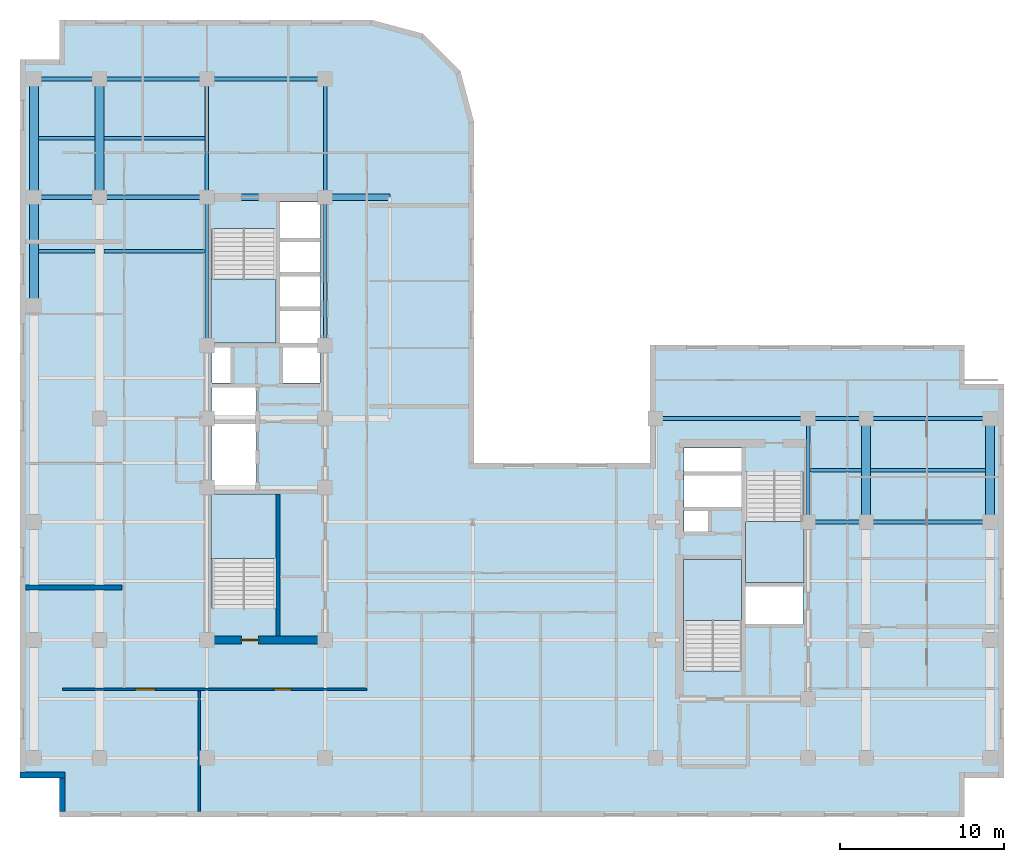
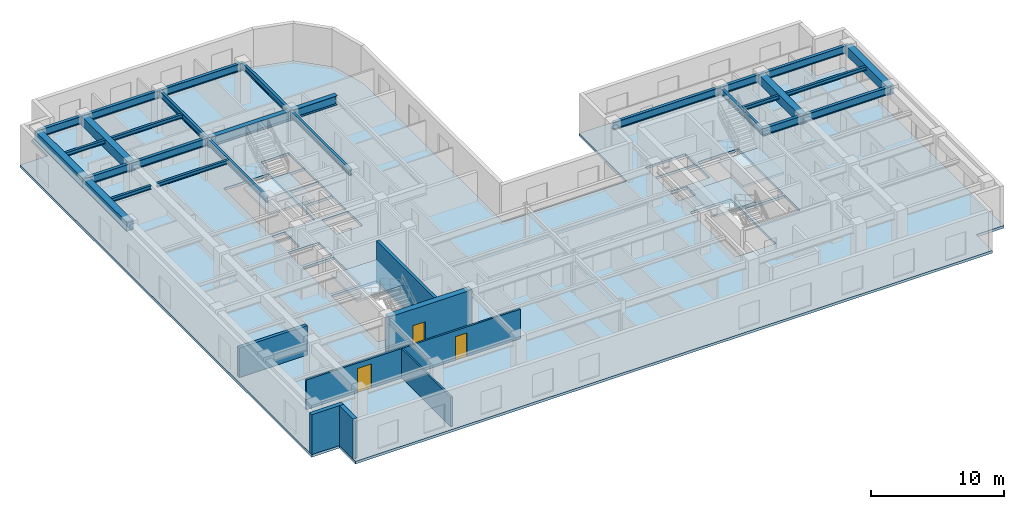
# One storey, part 3 of 11: 27 beams, 7 walls, 5 slabs, 3 doors, 3 openings, 4 elements without a shape of their own.
"""IFC4 building model written with IfcOpenShell, lengths in metres."""

from ifc_helpers import new_model, entity, si_unit, converted_unit, direction, frame, origin_with_axes, origin_2d_with_axis, place, context, subcontext, project, spatial, polyline, rectangle, i_section, outline, extrude, material, layer, layer_set, material_profile, profile_set, type_object, element, fill, aggregate, save


model = new_model("IFC4")

# Units and contexts
model_context = context("Model", 3, precision=1e-05, world=origin_with_axes(), true_north=direction((0.0, 1.0)))
body_context = subcontext(model_context, "Body", "Model", "MODEL_VIEW")
ifc_project = project(units=[si_unit("LENGTHUNIT", "METRE"), si_unit("AREAUNIT", "SQUARE_METRE"), si_unit("VOLUMEUNIT", "CUBIC_METRE"), converted_unit("PLANEANGLEUNIT", "DEGREE", entity("IfcPlaneAngleMeasure", 0.017453292519943295), si_unit("PLANEANGLEUNIT", "RADIAN"), dimensions=[0, 0, 0, 0, 0, 0, 0]), si_unit("MASSUNIT", "GRAM", prefix="KILO"), si_unit("THERMODYNAMICTEMPERATUREUNIT", "KELVIN")], contexts=[model_context])

# Site, building, storey
site_placement = place(None, origin_with_axes())
site = spatial("IfcSite", under=ifc_project, at=site_placement, CompositionType="ELEMENT")
building_placement = place(site_placement, origin_with_axes())
building = spatial("IfcBuilding", under=site, at=building_placement, Name="Varnlund Millrace Tower", CompositionType="ELEMENT")
storey_placement = place(building_placement, frame((0.0, 0.0, 192.6), z_axis=(0.0, 0.0, 1.0), x_axis=(1.0, 0.0, 0.0)))
storey = spatial("IfcBuildingStorey", under=building, at=storey_placement, Name="L47", CompositionType="ELEMENT", Elevation=192.6)

# Beams
ifc_material_1 = material(Name="Steel ASTM A992 Grade 50", Category="steel")
ifc_material_profile_1 = material_profile(ifc_material_1, i_section(OverallWidth=0.214, OverallDepth=0.549, WebThickness=0.0147, FlangeThickness=0.0236, FilletRadius=0.015, at=origin_2d_with_axis()), Name="Steel ASTM A992 Grade 50")
ifc_profile_set_1 = profile_set([ifc_material_profile_1], Name="Steel ASTM A992 Grade 50")
beam_type_1 = type_object("IfcBeamType", Name="Type-Beam-W21X93", PredefinedType="BEAM", material=ifc_profile_set_1)
beam_1_placement = place(storey_placement, frame((11.4, 28.75, 3.3855), z_axis=(0.0, 1.0, 0.0), x_axis=(-1.0, 0.0, 0.0)))
element("IfcBeam", 1, at=beam_1_placement, inside=storey, type_object=beam_type_1, Name="Type-Beam-W21X93", PredefinedType="BEAM", context=body_context, shape_type="SweptSolid", body=[
    extrude(i_section(OverallWidth=0.214, OverallDepth=0.549, WebThickness=0.0147, FlangeThickness=0.0236, FilletRadius=0.015, at=origin_2d_with_axis()), origin_with_axes(), (0.0, 0.0, 1.0), 9.05),
])
beam_2_placement = place(storey_placement, frame((11.4, 37.8, 3.3855), z_axis=(0.0, 1.0, 0.0), x_axis=(-1.0, 0.0, 0.0)))
element("IfcBeam", 2, at=beam_2_placement, inside=storey, type_object=beam_type_1, Name="Type-Beam-W21X93", PredefinedType="BEAM", context=body_context, shape_type="SweptSolid", body=[
    extrude(i_section(OverallWidth=0.214, OverallDepth=0.549, WebThickness=0.0147, FlangeThickness=0.0236, FilletRadius=0.015, at=origin_2d_with_axis()), origin_with_axes(), (0.0, 0.0, 1.0), 7.2),
])
beam_3_placement = place(storey_placement, frame((18.6, 28.75, 3.3855), z_axis=(0.0, 1.0, 0.0), x_axis=(-1.0, 0.0, 0.0)))
element("IfcBeam", 3, at=beam_3_placement, inside=storey, type_object=beam_type_1, Name="Type-Beam-W21X93", PredefinedType="BEAM", context=body_context, shape_type="SweptSolid", body=[
    extrude(i_section(OverallWidth=0.214, OverallDepth=0.549, WebThickness=0.0147, FlangeThickness=0.0236, FilletRadius=0.015, at=origin_2d_with_axis()), origin_with_axes(), (0.0, 0.0, 1.0), 9.05),
])
beam_4_placement = place(storey_placement, frame((18.6, 37.8, 3.3855), z_axis=(0.0, 1.0, 0.0), x_axis=(-1.0, 0.0, 0.0)))
element("IfcBeam", 4, at=beam_4_placement, inside=storey, type_object=beam_type_1, Name="Type-Beam-W21X93", PredefinedType="BEAM", context=body_context, shape_type="SweptSolid", body=[
    extrude(i_section(OverallWidth=0.214, OverallDepth=0.549, WebThickness=0.0147, FlangeThickness=0.0236, FilletRadius=0.015, at=origin_2d_with_axis()), origin_with_axes(), (0.0, 0.0, 1.0), 7.2),
])
beam_5_placement = place(storey_placement, frame((48.05, 18.0, 3.3855), z_axis=(0.0, 1.0, 0.0), x_axis=(-1.0, 0.0, 0.0)))
element("IfcBeam", 5, at=beam_5_placement, inside=storey, type_object=beam_type_1, Name="Type-Beam-W21X93", PredefinedType="BEAM", context=body_context, shape_type="SweptSolid", body=[
    extrude(i_section(OverallWidth=0.214, OverallDepth=0.549, WebThickness=0.0147, FlangeThickness=0.0236, FilletRadius=0.015, at=origin_2d_with_axis()), origin_with_axes(), (0.0, 0.0, 1.0), 6.3),
])
ifc_material_profile_2 = material_profile(ifc_material_1, i_section(OverallWidth=0.256, OverallDepth=0.693, WebThickness=0.0145, FlangeThickness=0.0236, FilletRadius=0.018, at=origin_2d_with_axis()), Name="Steel ASTM A992 Grade 50")
ifc_profile_set_2 = profile_set([ifc_material_profile_2], Name="Steel ASTM A992 Grade 50")
beam_type_2 = type_object("IfcBeamType", Name="Type-Girder-W27X114", PredefinedType="USERDEFINED", material=ifc_profile_set_2)
beam_6_placement = place(storey_placement, frame((48.05, 18.0, 3.3135), z_axis=(1.0, 0.0, 0.0), x_axis=(0.0, 1.0, 0.0)))
element("IfcBeam", 6, at=beam_6_placement, inside=storey, type_object=beam_type_2, Name="Type-Girder-W27X114", ObjectType="GIRDER", PredefinedType="USERDEFINED", context=body_context, shape_type="SweptSolid", body=[
    extrude(i_section(OverallWidth=0.256, OverallDepth=0.693, WebThickness=0.0145, FlangeThickness=0.0236, FilletRadius=0.018, at=origin_2d_with_axis()), origin_with_axes(), (0.0, 0.0, 1.0), 3.55),
])
beam_7_placement = place(storey_placement, frame((51.6, 18.0, 3.3135), z_axis=(1.0, 0.0, 0.0), x_axis=(0.0, 1.0, 0.0)))
element("IfcBeam", 7, at=beam_7_placement, inside=storey, type_object=beam_type_2, Name="Type-Girder-W27X114", ObjectType="GIRDER", PredefinedType="USERDEFINED", context=body_context, shape_type="SweptSolid", body=[
    extrude(i_section(OverallWidth=0.256, OverallDepth=0.693, WebThickness=0.0145, FlangeThickness=0.0236, FilletRadius=0.018, at=origin_2d_with_axis()), origin_with_axes(), (0.0, 0.0, 1.0), 7.55),
])
beam_8_placement = place(storey_placement, frame((38.75, 24.3, 3.3135), z_axis=(1.0, 0.0, 0.0), x_axis=(0.0, 1.0, 0.0)))
element("IfcBeam", 8, at=beam_8_placement, inside=storey, type_object=beam_type_2, Name="Type-Girder-W27X114", ObjectType="GIRDER", PredefinedType="USERDEFINED", context=body_context, shape_type="SweptSolid", body=[
    extrude(i_section(OverallWidth=0.256, OverallDepth=0.693, WebThickness=0.0145, FlangeThickness=0.0236, FilletRadius=0.018, at=origin_2d_with_axis()), origin_with_axes(), (0.0, 0.0, 1.0), 9.3),
])
beam_9_placement = place(storey_placement, frame((48.05, 24.3, 3.3135), z_axis=(1.0, 0.0, 0.0), x_axis=(0.0, 1.0, 0.0)))
element("IfcBeam", 9, at=beam_9_placement, inside=storey, type_object=beam_type_2, Name="Type-Girder-W27X114", ObjectType="GIRDER", PredefinedType="USERDEFINED", context=body_context, shape_type="SweptSolid", body=[
    extrude(i_section(OverallWidth=0.256, OverallDepth=0.693, WebThickness=0.0145, FlangeThickness=0.0236, FilletRadius=0.018, at=origin_2d_with_axis()), origin_with_axes(), (0.0, 0.0, 1.0), 3.55),
])
beam_10_placement = place(storey_placement, frame((51.6, 24.3, 3.3135), z_axis=(1.0, 0.0, 0.0), x_axis=(0.0, 1.0, 0.0)))
element("IfcBeam", 10, at=beam_10_placement, inside=storey, type_object=beam_type_2, Name="Type-Girder-W27X114", ObjectType="GIRDER", PredefinedType="USERDEFINED", context=body_context, shape_type="SweptSolid", body=[
    extrude(i_section(OverallWidth=0.256, OverallDepth=0.693, WebThickness=0.0145, FlangeThickness=0.0236, FilletRadius=0.018, at=origin_2d_with_axis()), origin_with_axes(), (0.0, 0.0, 1.0), 7.55),
])
beam_11_placement = place(storey_placement, frame((0.85, 37.8, 3.3135), z_axis=(1.0, 0.0, 0.0), x_axis=(0.0, 1.0, 0.0)))
element("IfcBeam", 11, at=beam_11_placement, inside=storey, type_object=beam_type_2, Name="Type-Girder-W27X114", ObjectType="GIRDER", PredefinedType="USERDEFINED", context=body_context, shape_type="SweptSolid", body=[
    extrude(i_section(OverallWidth=0.256, OverallDepth=0.693, WebThickness=0.0145, FlangeThickness=0.0236, FilletRadius=0.018, at=origin_2d_with_axis()), origin_with_axes(), (0.0, 0.0, 1.0), 4.0),
])
beam_12_placement = place(storey_placement, frame((4.85, 37.8, 3.3135), z_axis=(1.0, 0.0, 0.0), x_axis=(0.0, 1.0, 0.0)))
element("IfcBeam", 12, at=beam_12_placement, inside=storey, type_object=beam_type_2, Name="Type-Girder-W27X114", ObjectType="GIRDER", PredefinedType="USERDEFINED", context=body_context, shape_type="SweptSolid", body=[
    extrude(i_section(OverallWidth=0.256, OverallDepth=0.693, WebThickness=0.0145, FlangeThickness=0.0236, FilletRadius=0.018, at=origin_2d_with_axis()), origin_with_axes(), (0.0, 0.0, 1.0), 6.55),
])
beam_13_placement = place(storey_placement, frame((0.85, 45.0, 3.3135), z_axis=(1.0, 0.0, 0.0), x_axis=(0.0, 1.0, 0.0)))
element("IfcBeam", 13, at=beam_13_placement, inside=storey, type_object=beam_type_2, Name="Type-Girder-W27X114", ObjectType="GIRDER", PredefinedType="USERDEFINED", context=body_context, shape_type="SweptSolid", body=[
    extrude(i_section(OverallWidth=0.256, OverallDepth=0.693, WebThickness=0.0145, FlangeThickness=0.0236, FilletRadius=0.018, at=origin_2d_with_axis()), origin_with_axes(), (0.0, 0.0, 1.0), 4.0),
])
beam_14_placement = place(storey_placement, frame((4.85, 45.0, 3.3135), z_axis=(1.0, 0.0, 0.0), x_axis=(0.0, 1.0, 0.0)))
element("IfcBeam", 14, at=beam_14_placement, inside=storey, type_object=beam_type_2, Name="Type-Girder-W27X114", ObjectType="GIRDER", PredefinedType="USERDEFINED", context=body_context, shape_type="SweptSolid", body=[
    extrude(i_section(OverallWidth=0.256, OverallDepth=0.693, WebThickness=0.0145, FlangeThickness=0.0236, FilletRadius=0.018, at=origin_2d_with_axis()), origin_with_axes(), (0.0, 0.0, 1.0), 6.55),
])
beam_15_placement = place(storey_placement, frame((11.4, 45.0, 3.3135), z_axis=(1.0, 0.0, 0.0), x_axis=(0.0, 1.0, 0.0)))
element("IfcBeam", 15, at=beam_15_placement, inside=storey, type_object=beam_type_2, Name="Type-Girder-W27X114", ObjectType="GIRDER", PredefinedType="USERDEFINED", context=body_context, shape_type="SweptSolid", body=[
    extrude(i_section(OverallWidth=0.256, OverallDepth=0.693, WebThickness=0.0145, FlangeThickness=0.0236, FilletRadius=0.018, at=origin_2d_with_axis()), origin_with_axes(), (0.0, 0.0, 1.0), 7.2),
])
ifc_material_profile_3 = material_profile(ifc_material_1, i_section(OverallWidth=0.399, OverallDepth=0.855, WebThickness=0.0182, FlangeThickness=0.0292, FilletRadius=0.022, at=origin_2d_with_axis()), Name="Steel ASTM A992 Grade 50")
ifc_profile_set_3 = profile_set([ifc_material_profile_3], Name="Steel ASTM A992 Grade 50")
beam_type_3 = type_object("IfcBeamType", Name="Type-Girder-W33X201", PredefinedType="USERDEFINED", material=ifc_profile_set_3)
beam_16_placement = place(storey_placement, frame((11.4, 37.8, 3.2325), z_axis=(1.0, 0.0, 0.0), x_axis=(0.0, 1.0, 0.0)))
element("IfcBeam", 16, at=beam_16_placement, inside=storey, type_object=beam_type_3, Name="Type-Girder-W33X201", ObjectType="GIRDER", PredefinedType="USERDEFINED", context=body_context, shape_type="SweptSolid", body=[
    extrude(i_section(OverallWidth=0.399, OverallDepth=0.855, WebThickness=0.0182, FlangeThickness=0.0292, FilletRadius=0.022, at=origin_2d_with_axis()), origin_with_axes(), (0.0, 0.0, 1.0), 11.15),
])
ifc_material_profile_4 = material_profile(ifc_material_1, i_section(OverallWidth=0.204, OverallDepth=0.35, WebThickness=0.0086, FlangeThickness=0.0151, FilletRadius=0.013, at=origin_2d_with_axis()), Name="Steel ASTM A992 Grade 50")
ifc_profile_set_4 = profile_set([ifc_material_profile_4], Name="Steel ASTM A992 Grade 50")
beam_type_4 = type_object("IfcBeamType", Name="Type-Joist-W14X48", PredefinedType="JOIST", material=ifc_profile_set_4)
for number, where, z_axis, x_axis, name in (
    (17, (1.125, 34.5, 3.485), (1.0, 0.0, 0.0), (0.0, 1.0, 0.0), "Type-Joist-W14X48"),
    (18, (1.125, 41.4, 3.485), (1.0, 0.0, 0.0), (0.0, 1.0, 0.0), "Type-Joist-W14X48"),
):
    element("IfcBeam", number, at=place(storey_placement, frame(where, z_axis=z_axis, x_axis=x_axis)), inside=storey, type_object=beam_type_4, Name=name, PredefinedType="JOIST", context=body_context, shape_type="SweptSolid", body=[
        extrude(i_section(OverallWidth=0.204, OverallDepth=0.35, WebThickness=0.0086, FlangeThickness=0.0151, FilletRadius=0.013, at=origin_2d_with_axis()), origin_with_axes(), (0.0, 0.0, 1.0), 3.45),
    ])
for number, where, z_axis, x_axis, name in (
    (19, (5.125, 34.5, 3.485), (1.0, 0.0, 0.0), (0.0, 1.0, 0.0), "Type-Joist-W14X48"),
    (20, (5.125, 41.4, 3.485), (1.0, 0.0, 0.0), (0.0, 1.0, 0.0), "Type-Joist-W14X48"),
):
    element("IfcBeam", number, at=place(storey_placement, frame(where, z_axis=z_axis, x_axis=x_axis)), inside=storey, type_object=beam_type_4, Name=name, PredefinedType="JOIST", context=body_context, shape_type="SweptSolid", body=[
        extrude(i_section(OverallWidth=0.204, OverallDepth=0.35, WebThickness=0.0086, FlangeThickness=0.0151, FilletRadius=0.013, at=origin_2d_with_axis()), origin_with_axes(), (0.0, 0.0, 1.0), 6.168),
    ])
beam_17_placement = place(storey_placement, frame((48.157, 21.15, 3.485), z_axis=(1.0, 0.0, 0.0), x_axis=(0.0, 1.0, 0.0)))
element("IfcBeam", 21, at=beam_17_placement, inside=storey, type_object=beam_type_4, Name="Type-Joist-W14X48", PredefinedType="JOIST", context=body_context, shape_type="SweptSolid", body=[
    extrude(i_section(OverallWidth=0.204, OverallDepth=0.35, WebThickness=0.0086, FlangeThickness=0.0151, FilletRadius=0.013, at=origin_2d_with_axis()), origin_with_axes(), (0.0, 0.0, 1.0), 3.168),
])
beam_18_placement = place(storey_placement, frame((51.875, 21.15, 3.485), z_axis=(1.0, 0.0, 0.0), x_axis=(0.0, 1.0, 0.0)))
element("IfcBeam", 22, at=beam_18_placement, inside=storey, type_object=beam_type_4, Name="Type-Joist-W14X48", PredefinedType="JOIST", context=body_context, shape_type="SweptSolid", body=[
    extrude(i_section(OverallWidth=0.204, OverallDepth=0.35, WebThickness=0.0086, FlangeThickness=0.0151, FilletRadius=0.013, at=origin_2d_with_axis()), origin_with_axes(), (0.0, 0.0, 1.0), 7.0),
])
ifc_material_2 = material(Name="Concrete C60/75", Category="concrete")
ifc_material_profile_5 = material_profile(ifc_material_2, rectangle(XDim=0.55, YDim=0.85, at=origin_2d_with_axis()), Name="Concrete C60/75")
ifc_profile_set_5 = profile_set([ifc_material_profile_5], Name="Concrete C60/75")
beam_type_5 = type_object("IfcBeamType", Name="Type-Spandrel-RC550X850", PredefinedType="SPANDREL", material=ifc_profile_set_5)
beam_19_placement = place(storey_placement, frame((0.85, 31.2, 3.235), z_axis=(0.0, 1.0, 0.0), x_axis=(-1.0, 0.0, 0.0)))
element("IfcBeam", 23, at=beam_19_placement, inside=storey, type_object=beam_type_5, Name="Type-Spandrel-RC550X850", PredefinedType="SPANDREL", context=body_context, shape_type="SweptSolid", body=[
    extrude(rectangle(XDim=0.55, YDim=0.85, at=origin_2d_with_axis()), origin_with_axes(), (0.0, 0.0, 1.0), 6.6),
])
for number, where, z_axis, x_axis, name in (
    (24, (0.85, 37.8, 3.235), (0.0, 1.0, 0.0), (-1.0, 0.0, 0.0), "Type-Spandrel-RC550X850"),
    (25, (4.85, 37.8, 3.235), (0.0, 1.0, 0.0), (-1.0, 0.0, 0.0), "Type-Spandrel-RC550X850"),
):
    element("IfcBeam", number, at=place(storey_placement, frame(where, z_axis=z_axis, x_axis=x_axis)), inside=storey, type_object=beam_type_5, Name=name, PredefinedType="SPANDREL", context=body_context, shape_type="SweptSolid", body=[
        extrude(rectangle(XDim=0.55, YDim=0.85, at=origin_2d_with_axis()), origin_with_axes(), (0.0, 0.0, 1.0), 7.2),
    ])
for number, where, z_axis, x_axis, name in (
    (26, (51.6, 18.0, 3.235), (0.0, 1.0, 0.0), (-1.0, 0.0, 0.0), "Type-Spandrel-RC550X850"),
    (27, (59.15, 18.0, 3.235), (0.0, 1.0, 0.0), (-1.0, 0.0, 0.0), "Type-Spandrel-RC550X850"),
):
    element("IfcBeam", number, at=place(storey_placement, frame(where, z_axis=z_axis, x_axis=x_axis)), inside=storey, type_object=beam_type_5, Name=name, PredefinedType="SPANDREL", context=body_context, shape_type="SweptSolid", body=[
        extrude(rectangle(XDim=0.55, YDim=0.85, at=origin_2d_with_axis()), origin_with_axes(), (0.0, 0.0, 1.0), 6.3),
    ])

# Slab
ifc_layer_1 = layer(ifc_material_2, 0.24, Name="Concrete C60/75")
ifc_layer_set_1 = layer_set([ifc_layer_1], Name="Concrete C60/75")
slab_type_1 = type_object("IfcSlabType", Name="Type-Deck-Plate-Typical-240", PredefinedType="FLOOR", material=ifc_layer_set_1)
slab_1_placement = place(storey_placement, frame((0.0, 0.0, -0.24), z_axis=(0.0, 0.0, 1.0), x_axis=(1.0, 0.0, 0.0)))
element("IfcSlab", 28, at=slab_1_placement, inside=storey, type_object=slab_type_1, Name="Type-Deck-Plate-Typical-240", PredefinedType="FLOOR", context=body_context, shape_type="SweptSolid", body=[
    extrude(outline(polyline([(27.681, 21.6), (27.681, 42.4), (26.85, 45.5), (24.581, 47.769), (21.481, 48.6), (2.4, 48.6), (2.4, 46.2), (0.0, 46.2), (0.0, 2.4), (2.4, 2.4), (2.4, 0.0), (57.6, 0.0), (57.6, 2.4), (60.0, 2.4), (60.0, 26.4), (57.6, 26.4), (57.6, 28.8), (38.4, 28.8), (38.4, 21.6), (27.681, 21.6)]), holes=[polyline([(15.6, 12.715), (11.7, 12.715), (11.7, 19.7), (15.6, 19.7), (15.6, 12.715)]), polyline([(14.38, 23.98), (14.38, 19.94), (11.7, 19.94), (11.7, 23.98), (14.38, 23.98)]), polyline([(14.38, 24.24), (11.7, 24.24), (11.7, 26.2), (14.38, 26.2), (14.38, 24.24)]), polyline([(12.84, 26.46), (11.7, 26.46), (11.7, 28.65), (12.84, 28.65), (12.84, 26.46)]), polyline([(18.3, 28.9), (15.84, 28.9), (15.84, 30.98), (18.3, 30.98), (18.3, 28.9)]), polyline([(18.3, 31.02), (15.84, 31.02), (15.84, 33.08), (18.3, 33.08), (18.3, 31.02)]), polyline([(15.6, 28.9), (11.7, 28.9), (11.7, 35.885), (15.6, 35.885), (15.6, 28.9)]), polyline([(18.3, 33.12), (15.84, 33.12), (15.84, 35.18), (18.3, 35.18), (18.3, 33.12)]), polyline([(44.0, 8.915), (40.5, 8.915), (40.5, 15.7), (44.0, 15.7), (44.0, 8.915)]), polyline([(47.75, 11.74), (44.25, 11.74), (44.25, 14.06), (47.75, 14.06), (47.75, 11.74)]), polyline([(47.75, 14.3), (44.25, 14.3), (44.25, 21.085), (47.75, 21.085), (47.75, 14.3)]), polyline([(41.95, 17.42), (40.5, 17.42), (40.5, 18.72), (41.95, 18.72), (41.95, 17.42)]), polyline([(44.0, 18.88), (40.5, 18.88), (40.5, 20.94), (44.0, 20.94), (44.0, 18.88)]), polyline([(44.0, 21.0), (40.5, 21.0), (40.5, 22.5), (44.0, 22.5), (44.0, 21.0)]), polyline([(16.04, 26.46), (16.04, 28.65), (18.3, 28.65), (18.3, 26.46), (16.04, 26.46)]), polyline([(15.84, 35.22), (15.84, 37.5), (18.3, 37.5), (18.3, 35.22), (15.84, 35.22)])]), origin_with_axes(), (0.0, 0.0, 1.0), 0.24),
])

# Stair, slab
ifc_material_3 = material(Name="Concrete C50/60", Category="concrete")
stair_type_1 = type_object("IfcStairType", Name="Type-Stair-Dogleg-185-390", PredefinedType="HALF_TURN_STAIR", material=ifc_material_3)
stair_1_placement = place(storey_placement, origin_with_axes())
stair_1 = element("IfcStair", 29, at=stair_1_placement, inside=storey, type_object=stair_type_1, Name="Type-Stair-Dogleg-185-390", PredefinedType="HALF_TURN_STAIR")
ifc_layer_2 = layer(ifc_material_3, 0.2, Name="Concrete C50/60")
ifc_layer_set_2 = layer_set([ifc_layer_2], Name="Concrete C50/60")
slab_type_2 = type_object("IfcSlabType", Name="Type-StairLanding-200", PredefinedType="LANDING", material=ifc_layer_set_2)
slab_2_placement = place(storey_placement, frame((0.0, 0.0, 1.75), z_axis=(0.0, 0.0, 1.0), x_axis=(1.0, 0.0, 0.0)))
slab_2 = element("IfcSlab", 30, at=slab_2_placement, type_object=slab_type_2, Name="ST-A1 landing 1", PredefinedType="LANDING", context=body_context, shape_type="SweptSolid", body=[
    extrude(outline(polyline([(15.6, 15.78), (15.6, 19.7), (11.65, 19.7), (11.65, 15.78), (15.6, 15.78)])), origin_with_axes(), (0.0, 0.0, 1.0), 0.2),
])
aggregate(stair_1, [slab_2])

stair_2_placement = place(storey_placement, origin_with_axes())
stair_2 = element("IfcStair", 31, at=stair_2_placement, inside=storey, type_object=stair_type_1, Name="Type-Stair-Dogleg-185-390", PredefinedType="HALF_TURN_STAIR")
slab_3_placement = place(storey_placement, frame((0.0, 0.0, 1.75), z_axis=(0.0, 0.0, 1.0), x_axis=(1.0, 0.0, 0.0)))
slab_3 = element("IfcSlab", 32, at=slab_3_placement, type_object=slab_type_2, Name="ST-A2 landing 1", PredefinedType="LANDING", context=body_context, shape_type="SweptSolid", body=[
    extrude(outline(polyline([(11.65, 32.82), (11.65, 28.9), (15.6, 28.9), (15.6, 32.82), (11.65, 32.82)])), origin_with_axes(), (0.0, 0.0, 1.0), 0.2),
])
aggregate(stair_2, [slab_3])

stair_type_2 = type_object("IfcStairType", Name="Type-Stair-Dogleg-165-390", PredefinedType="HALF_TURN_STAIR", material=ifc_material_3)
stair_3_placement = place(storey_placement, origin_with_axes())
stair_3 = element("IfcStair", 33, at=stair_3_placement, inside=storey, type_object=stair_type_2, Name="Type-Stair-Dogleg-165-390", PredefinedType="HALF_TURN_STAIR")
slab_4_placement = place(storey_placement, frame((0.0, 0.0, 1.75), z_axis=(0.0, 0.0, 1.0), x_axis=(1.0, 0.0, 0.0)))
slab_4 = element("IfcSlab", 34, at=slab_4_placement, type_object=slab_type_2, Name="ST-B1 landing 1", PredefinedType="LANDING", context=body_context, shape_type="SweptSolid", body=[
    extrude(outline(polyline([(44.0, 11.98), (44.0, 15.7), (40.45, 15.7), (40.45, 11.98), (44.0, 11.98)])), origin_with_axes(), (0.0, 0.0, 1.0), 0.2),
])
aggregate(stair_3, [slab_4])

stair_4_placement = place(storey_placement, origin_with_axes())
stair_4 = element("IfcStair", 35, at=stair_4_placement, inside=storey, type_object=stair_type_2, Name="Type-Stair-Dogleg-165-390", PredefinedType="HALF_TURN_STAIR")
slab_5_placement = place(storey_placement, frame((0.0, 0.0, 1.75), z_axis=(0.0, 0.0, 1.0), x_axis=(1.0, 0.0, 0.0)))
slab_5 = element("IfcSlab", 36, at=slab_5_placement, type_object=slab_type_2, Name="ST-B2 landing 1", PredefinedType="LANDING", context=body_context, shape_type="SweptSolid", body=[
    extrude(outline(polyline([(44.25, 18.02), (44.25, 14.3), (47.8, 14.3), (47.8, 18.02), (44.25, 18.02)])), origin_with_axes(), (0.0, 0.0, 1.0), 0.2),
])
aggregate(stair_4, [slab_5])

# Wall, opening, door
ifc_material_4 = material(Name="Concrete C70/85", Category="concrete")
ifc_layer_3 = layer(ifc_material_4, 0.5, Name="Concrete C70/85")
ifc_layer_set_3 = layer_set([ifc_layer_3], Name="Concrete C70/85")
wall_type_1 = type_object("IfcWallType", Name="Type-CoreWall-Shear-500-C70", PredefinedType="SHEAR", material=ifc_layer_set_3)
wall_1_placement = place(storey_placement, frame((11.4, 10.8, 0.0), z_axis=(0.0, 0.0, 1.0), x_axis=(1.0, 0.0, 0.0)))
wall_1 = element("IfcWall", 37, at=wall_1_placement, inside=storey, type_object=wall_type_1, Name="Type-CoreWall-Shear-500-C70", PredefinedType="SHEAR", context=body_context, shape_type="SweptSolid", body=[
    extrude(outline(polyline([(0.0, -0.25), (7.2, -0.25), (7.2, 0.25), (0.0, 0.25), (0.0, -0.25)])), origin_with_axes(), (0.0, 0.0, 1.0), 3.66),
])
opening_1_placement = place(wall_1_placement, frame((2.625, 0.0, 0.0), z_axis=(0.0, 0.0, 1.0), x_axis=(1.0, 0.0, 0.0)))
opening_1 = element("IfcOpeningElement", 38, at=opening_1_placement, cuts=wall_1, Name="Opening L47:DR-STA1", PredefinedType="OPENING", context=body_context, shape_type="SweptSolid", body=[
    extrude(rectangle(XDim=1.05, YDim=0.52, at=origin_2d_with_axis()), origin_with_axes(), (0.0, 0.0, 1.0), 2.15),
])
ifc_material_5 = material(Name="Fire-rated hollow steel door", Category="steel")
door_type_1 = type_object("IfcDoorType", Name="Type-FireDoor-Stair-1050X2150", OperationType="NOTDEFINED", PredefinedType="DOOR", material=ifc_material_5)
door_1_placement = place(wall_1_placement, frame((2.625, 0.0, 0.0), z_axis=(0.0, 0.0, 1.0), x_axis=(1.0, 0.0, 0.0)))
door_1 = element("IfcDoor", 39, at=door_1_placement, inside=storey, type_object=door_type_1, Name="Type-FireDoor-Stair-1050X2150", OperationType="SINGLE_SWING_LEFT", OverallHeight=2.15, OverallWidth=1.05, PredefinedType="DOOR", context=body_context, shape_type="SweptSolid", body=[
    extrude(rectangle(XDim=1.05, YDim=0.09, at=origin_2d_with_axis()), origin_with_axes(), (0.0, 0.0, 1.0), 2.15),
])
fill(opening_1, door_1)

# Walls
ifc_material_6 = material(Name="Precast concrete C50/60", Category="concrete")
ifc_layer_4 = layer(ifc_material_6, 0.34, Name="Precast concrete C50/60")
ifc_layer_set_4 = layer_set([ifc_layer_4], Name="Precast concrete C50/60")
wall_type_2 = type_object("IfcWallType", Name="Type-ExtWall-Precast-Upper-340", PredefinedType="SOLIDWALL", material=ifc_layer_set_4)
wall_2_placement = place(storey_placement, frame((2.57, 0.34, 0.0), z_axis=(0.0, 0.0, 1.0), x_axis=(0.0, 1.0, 0.0)))
element("IfcWall", 40, at=wall_2_placement, inside=storey, type_object=wall_type_2, Name="Type-ExtWall-Precast-Upper-340", PredefinedType="SOLIDWALL", context=body_context, shape_type="SweptSolid", body=[
    extrude(outline(polyline([(0.0, -0.17), (2.06, -0.17), (2.06, 0.17), (0.0, 0.17), (0.0, -0.17)])), origin_with_axes(), (0.0, 0.0, 1.0), 3.66),
])
wall_3_placement = place(storey_placement, frame((2.74, 2.57, 0.0), z_axis=(0.0, 0.0, 1.0), x_axis=(-1.0, 0.0, 0.0)))
element("IfcWall", 41, at=wall_3_placement, inside=storey, type_object=wall_type_2, Name="Type-ExtWall-Precast-Upper-340", PredefinedType="SOLIDWALL", context=body_context, shape_type="SweptSolid", body=[
    extrude(outline(polyline([(0.0, -0.17), (2.74, -0.17), (2.74, 0.17), (0.0, 0.17), (0.0, -0.17)])), origin_with_axes(), (0.0, 0.0, 1.0), 3.66),
])
ifc_material_7 = material(Name="Double-stud STC-60 conference acoustic partition", Category="gypsum")
ifc_layer_5 = layer(ifc_material_7, 0.28, Name="Double-stud STC-60 conference acoustic partition")
ifc_layer_set_5 = layer_set([ifc_layer_5], Name="Double-stud STC-60 conference acoustic partition")
wall_type_3 = type_object("IfcWallType", Name="Type-Partition-Acoustic-280", PredefinedType="PARTITIONING", material=ifc_layer_set_5)
wall_4_placement = place(storey_placement, frame((0.335, 14.001, 0.0), z_axis=(0.0, 0.0, 1.0), x_axis=(1.0, 0.0, 0.0)))
element("IfcWall", 42, at=wall_4_placement, inside=storey, type_object=wall_type_3, Name="Type-Partition-Acoustic-280", PredefinedType="PARTITIONING", context=body_context, shape_type="SweptSolid", body=[
    extrude(outline(polyline([(0.0, -0.14), (5.895, -0.14), (5.895, 0.14), (0.0, 0.14), (0.0, -0.14)])), origin_with_axes(), (0.0, 0.0, 1.0), 2.7),
])

# Wall, openings, doors
ifc_material_8 = material(Name="Fire-rated gypsum board on cold-formed steel framing", Category="steel")
ifc_layer_6 = layer(ifc_material_8, 0.16, Name="Fire-rated gypsum board on cold-formed steel framing")
ifc_layer_set_6 = layer_set([ifc_layer_6], Name="Fire-rated gypsum board on cold-formed steel framing")
wall_type_4 = type_object("IfcWallType", Name="Type-Partition-Corridor-160", PredefinedType="PARTITIONING", material=ifc_layer_set_6)
wall_5_placement = place(storey_placement, frame((2.6, 7.8, 0.0), z_axis=(0.0, 0.0, 1.0), x_axis=(1.0, 0.0, 0.0)))
wall_5 = element("IfcWall", 43, at=wall_5_placement, inside=storey, type_object=wall_type_4, Name="Type-Partition-Corridor-160", PredefinedType="PARTITIONING", context=body_context, shape_type="SweptSolid", body=[
    extrude(outline(polyline([(0.0, -0.08), (18.55, -0.08), (18.55, 0.08), (0.0, 0.08), (0.0, -0.08)])), origin_with_axes(), (0.0, 0.0, 1.0), 2.7),
])
opening_2_placement = place(wall_5_placement, frame((5.04, 0.0, 0.0), z_axis=(0.0, 0.0, 1.0), x_axis=(1.0, 0.0, 0.0)))
opening_2 = element("IfcOpeningElement", 44, at=opening_2_placement, cuts=wall_5, Name="Opening L47:DR-WAS-01", PredefinedType="OPENING", context=body_context, shape_type="SweptSolid", body=[
    extrude(rectangle(XDim=1.2, YDim=0.18, at=origin_2d_with_axis()), origin_with_axes(), (0.0, 0.0, 1.0), 2.2),
])
opening_3_placement = place(wall_5_placement, frame((13.4145, 0.0, 0.0), z_axis=(0.0, 0.0, 1.0), x_axis=(1.0, 0.0, 0.0)))
opening_3 = element("IfcOpeningElement", 45, at=opening_3_placement, cuts=wall_5, Name="Opening L47:DR-WAS-02", PredefinedType="OPENING", context=body_context, shape_type="SweptSolid", body=[
    extrude(rectangle(XDim=1.0, YDim=0.18, at=origin_2d_with_axis()), origin_with_axes(), (0.0, 0.0, 1.0), 2.15),
])
ifc_material_9 = material(Name="Wide executive white oak acoustic door")
door_type_2 = type_object("IfcDoorType", Name="Type-IntDoor-Exec-1200X2200", OperationType="NOTDEFINED", PredefinedType="DOOR", material=ifc_material_9)
door_2_placement = place(wall_5_placement, frame((5.04, 0.0, 0.0), z_axis=(0.0, 0.0, 1.0), x_axis=(1.0, 0.0, 0.0)))
door_2 = element("IfcDoor", 46, at=door_2_placement, inside=storey, type_object=door_type_2, Name="Type-IntDoor-Exec-1200X2200", OperationType="SINGLE_SWING_LEFT", OverallHeight=2.2, OverallWidth=1.2, PredefinedType="DOOR", context=body_context, shape_type="SweptSolid", body=[
    extrude(rectangle(XDim=1.2, YDim=0.09, at=origin_2d_with_axis()), origin_with_axes(), (0.0, 0.0, 1.0), 2.2),
])
fill(opening_2, door_2)
ifc_material_10 = material(Name="Solid-core white oak and bronze frame door")
door_type_3 = type_object("IfcDoorType", Name="Type-IntDoor-Office-1000X2150", OperationType="NOTDEFINED", PredefinedType="DOOR", material=ifc_material_10)
door_3_placement = place(wall_5_placement, frame((13.4145, 0.0, 0.0), z_axis=(0.0, 0.0, 1.0), x_axis=(1.0, 0.0, 0.0)))
door_3 = element("IfcDoor", 47, at=door_3_placement, inside=storey, type_object=door_type_3, Name="Type-IntDoor-Office-1000X2150", OperationType="SINGLE_SWING_RIGHT", OverallHeight=2.15, OverallWidth=1.0, PredefinedType="DOOR", context=body_context, shape_type="SweptSolid", body=[
    extrude(rectangle(XDim=1.0, YDim=0.09, at=origin_2d_with_axis()), origin_with_axes(), (0.0, 0.0, 1.0), 2.15),
])
fill(opening_3, door_3)

# Walls
ifc_material_11 = material(Name="Acoustic STC-50 gypsum board partition", Category="gypsum")
ifc_layer_7 = layer(ifc_material_11, 0.15, Name="Acoustic STC-50 gypsum board partition")
ifc_layer_set_7 = layer_set([ifc_layer_7], Name="Acoustic STC-50 gypsum board partition")
wall_type_5 = type_object("IfcWallType", Name="Type-Partition-Demising-150", PredefinedType="PARTITIONING", material=ifc_layer_set_7)
wall_6_placement = place(storey_placement, frame((10.929, 0.335, 0.0), z_axis=(0.0, 0.0, 1.0), x_axis=(0.0, 1.0, 0.0)))
element("IfcWall", 48, at=wall_6_placement, inside=storey, type_object=wall_type_5, Name="Type-Partition-Demising-150", PredefinedType="PARTITIONING", context=body_context, shape_type="SweptSolid", body=[
    extrude(outline(polyline([(0.0, -0.075), (7.365, -0.075), (7.365, 0.075), (0.0, 0.075), (0.0, -0.075)])), origin_with_axes(), (0.0, 0.0, 1.0), 2.7),
])
ifc_layer_8 = layer(ifc_material_2, 0.25, Name="Concrete C60/75")
ifc_layer_set_8 = layer_set([ifc_layer_8], Name="Concrete C60/75")
wall_type_6 = type_object("IfcWallType", Name="Type-StairWall-Shear-250", PredefinedType="SHEAR", material=ifc_layer_set_8)
wall_7_placement = place(storey_placement, frame((15.725, 11.05, 0.0), z_axis=(0.0, 0.0, 1.0), x_axis=(0.0, 1.0, 0.0)))
element("IfcWall", 49, at=wall_7_placement, inside=storey, type_object=wall_type_6, Name="Type-StairWall-Shear-250", PredefinedType="SHEAR", context=body_context, shape_type="SweptSolid", body=[
    extrude(outline(polyline([(0.0, -0.125), (8.65, -0.125), (8.65, 0.125), (0.0, 0.125), (0.0, -0.125)])), origin_with_axes(), (0.0, 0.0, 1.0), 3.66),
])

save(model, "model.ifc")
